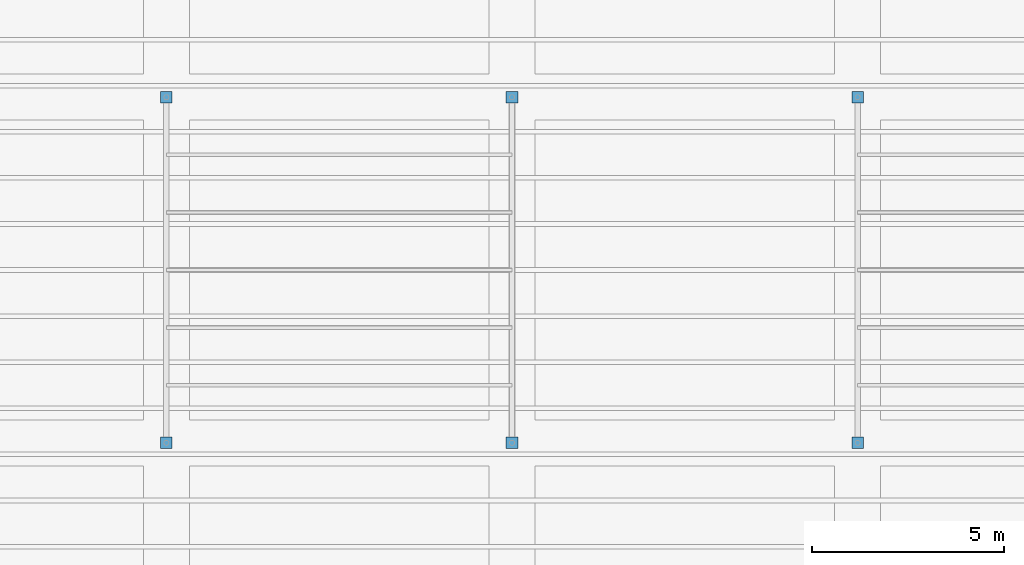
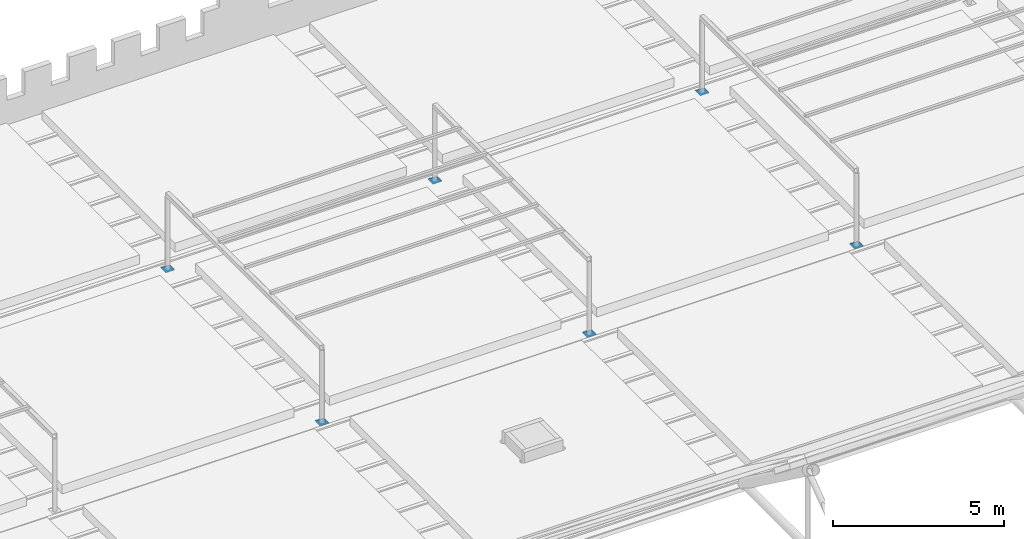
# One storey, part 133 of 153: 6 discrete accessories.
"""IFC4 building model written with IfcOpenShell, lengths in metres."""

from ifc_helpers import new_model, si_unit, direction, frame, origin, origin_2d, place, context, subcontext, project, spatial, rectangle, extrude, material, type_object, element, save


model = new_model("IFC4")

# Units and contexts
model_context = context("Model", 3, precision=1e-05, world=origin(), true_north=direction((0.0, 1.0)))
body_context = subcontext(model_context, "Body", "Model", "MODEL_VIEW")
ifc_project = project(units=[si_unit("LENGTHUNIT", "METRE"), si_unit("AREAUNIT", "SQUARE_METRE"), si_unit("VOLUMEUNIT", "CUBIC_METRE"), si_unit("PLANEANGLEUNIT", "RADIAN"), si_unit("MASSUNIT", "GRAM", prefix="KILO")], contexts=[model_context])

# Site, building, storey
site_placement = place(None, origin())
site = spatial("IfcSite", under=ifc_project, at=site_placement, CompositionType="ELEMENT")
building_placement = place(site_placement, origin())
building = spatial("IfcBuilding", under=site, at=building_placement, Name="Baradari Gate Terminus", CompositionType="ELEMENT")
storey_placement = place(building_placement, frame((0.0, 0.0, 11.699951171875)))
storey = spatial("IfcBuildingStorey", under=building, at=storey_placement, Name="L02", CompositionType="ELEMENT", Elevation=11.699951171875)

# Discrete accessories
ifc_material = material(Name="Steel S355", Category="steel")
discrete_accessory_type = type_object("IfcDiscreteAccessoryType", Name="Pergola base plate PGP-1 300x300x12", PredefinedType="BRACKET", material=ifc_material)
for number, where, z_axis, x_axis, name in (
    (1, (207.0, 90.0, 0.0), (0.0, 0.0, 1.0), (1.0, 0.0, 0.0), "Pergola base plate E2"),
    (2, (216.0, 90.0, 0.0), (0.0, 0.0, 1.0), (1.0, 0.0, 0.0), "Pergola base plate E2"),
    (3, (216.0, 99.0, 0.0), (0.0, 0.0, 1.0), (1.0, 0.0, 0.0), "Pergola base plate E2"),
    (4, (207.0, 99.0, 0.0), (0.0, 0.0, 1.0), (1.0, 0.0, 0.0), "Pergola base plate E2"),
    (5, (225.0, 90.0, 0.0), (0.0, 0.0, 1.0), (1.0, 0.0, 0.0), "Pergola base plate E3"),
    (6, (225.0, 99.0, 0.0), (0.0, 0.0, 1.0), (1.0, 0.0, 0.0), "Pergola base plate E3"),
):
    element("IfcDiscreteAccessory", number, at=place(storey_placement, frame(where, z_axis=z_axis, x_axis=x_axis)), inside=storey, type_object=discrete_accessory_type, Name=name, PredefinedType="BRACKET", context=body_context, shape_type="SweptSolid", body=[
        extrude(rectangle(XDim=0.300048828125, YDim=0.300048828125, at=origin_2d()), origin(), (0.0, 0.0, 1.0), 0.011962890625),
    ])

save(model, "model.ifc")
